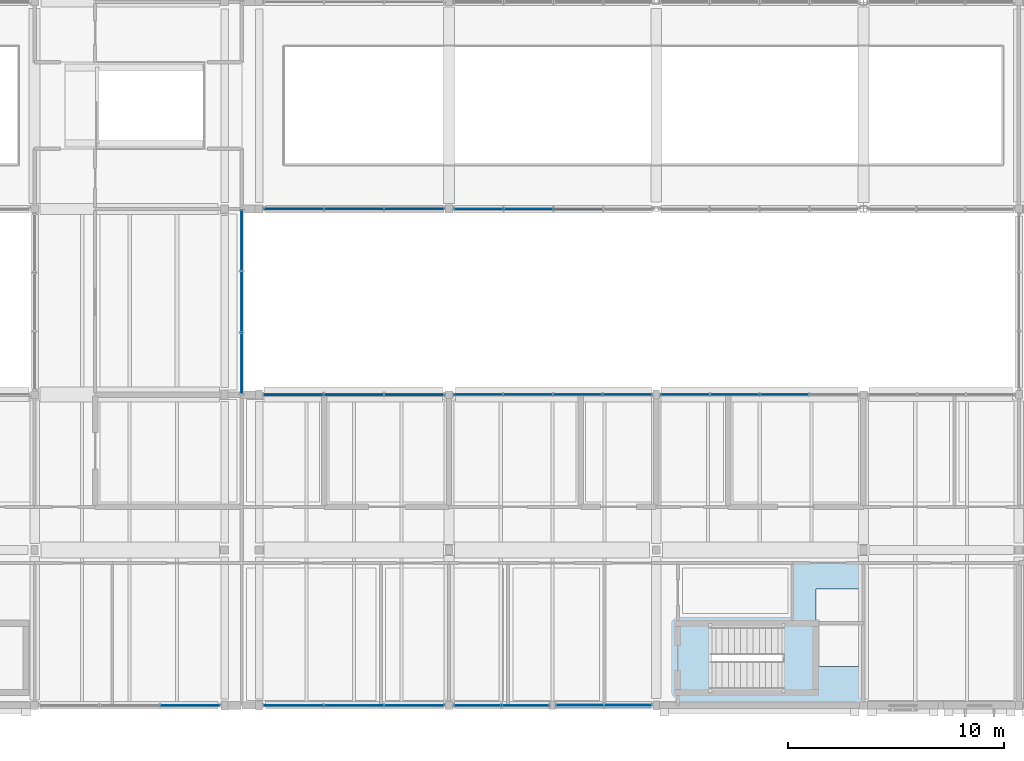
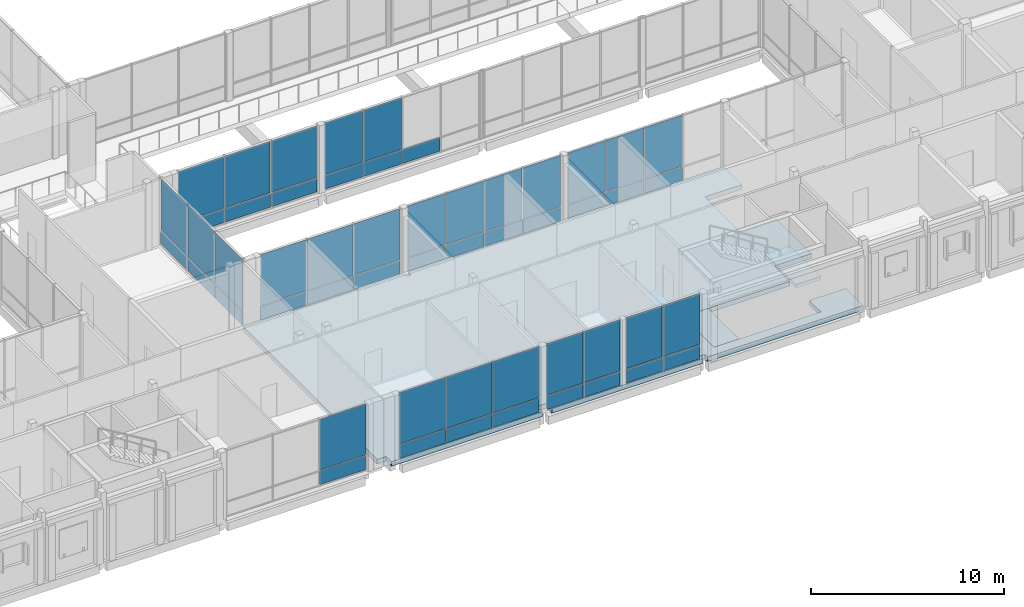
# One storey, part 99 of 146: 53 plates, 3 slabs, 11 elements without a shape of their own.
"""IFC4 building model written with IfcOpenShell, lengths in metres."""

from ifc_helpers import new_model, si_unit, direction, frame, origin, origin_2d, place, context, subcontext, project, spatial, polyline, rectangle, outline, extrude, material, layer, layer_set, type_object, element, aggregate, save


model = new_model("IFC4")

# Units and contexts
model_context = context("Model", 3, precision=1e-05, world=origin(), true_north=direction((0.0, 1.0)))
body_context = subcontext(model_context, "Body", "Model", "MODEL_VIEW")
ifc_project = project(units=[si_unit("LENGTHUNIT", "METRE"), si_unit("AREAUNIT", "SQUARE_METRE"), si_unit("VOLUMEUNIT", "CUBIC_METRE"), si_unit("PLANEANGLEUNIT", "RADIAN"), si_unit("MASSUNIT", "GRAM", prefix="KILO")], contexts=[model_context])

# Site, building, storey
site_placement = place(None, origin())
site = spatial("IfcSite", under=ifc_project, at=site_placement, CompositionType="ELEMENT")
building_placement = place(site_placement, origin())
building = spatial("IfcBuilding", under=site, at=building_placement, Name="Hawrajan Terrace Health Centre", CompositionType="ELEMENT")
storey_placement = place(building_placement, frame((0.0, 0.0, 4.5)))
storey = spatial("IfcBuildingStorey", under=building, at=storey_placement, Name="L01", CompositionType="ELEMENT", Elevation=4.5)

# Curtain wall, plates
ifc_material_1 = material(Name="Anodized bronze aluminium and low-E solar glazing", Category="aluminium")
curtain_wall_type_1 = type_object("IfcCurtainWallType", Name="CW_Hall_SeriesD2", PredefinedType="USERDEFINED", material=ifc_material_1)
curtain_wall_1_placement = place(storey_placement, origin())
curtain_wall_1 = element("IfcCurtainWall", 1, at=curtain_wall_1_placement, inside=storey, type_object=curtain_wall_type_1, Name="Curtain wall CW-L01-083", ObjectType="UNITISED CURTAIN WALL", PredefinedType="USERDEFINED")
ifc_material_2 = material(Name="Diffused north-light insulated glazing", Category="glass")
ifc_layer_1 = layer(ifc_material_2, 0.031982421875)
ifc_layer_set_1 = layer_set([ifc_layer_1], Name="Diffused north-light insulated glazing")
plate_type_1 = type_object("IfcPlateType", Name="ClerestoryGlassPanel_32", PredefinedType="CURTAIN_PANEL", material=ifc_layer_set_1)
plate_1_placement = place(storey_placement, frame((71.794921875, 20.058349609375, 0.9814453125), z_axis=(0.0, 0.0, 1.0), x_axis=(0.0, 1.0, 0.0)))
plate_1 = element("IfcPlate", 2, at=plate_1_placement, type_object=plate_type_1, Name="Curtain panel CW-L01-083-P1-2", PredefinedType="CURTAIN_PANEL", context=body_context, shape_type="SweptSolid", body=[
    extrude(rectangle(XDim=2.77880859375, YDim=0.031982421875, at=origin_2d()), origin(), (0.0, 0.0, 1.0), 3.24951171875),
])
plate_2_placement = place(storey_placement, frame((71.794921875, 22.89990234375, 0.9814453125), z_axis=(0.0, 0.0, 1.0), x_axis=(0.0, 1.0, 0.0)))
plate_2 = element("IfcPlate", 3, at=plate_2_placement, type_object=plate_type_1, Name="Curtain panel CW-L01-083-P2-2", PredefinedType="CURTAIN_PANEL", context=body_context, shape_type="SweptSolid", body=[
    extrude(rectangle(XDim=2.77880859375, YDim=0.031982421875, at=origin_2d()), origin(), (0.0, 0.0, 1.0), 3.24951171875),
])
plate_3_placement = place(storey_placement, frame((71.794921875, 25.74169921875, 0.9814453125), z_axis=(0.0, 0.0, 1.0), x_axis=(0.0, 1.0, 0.0)))
plate_3 = element("IfcPlate", 4, at=plate_3_placement, type_object=plate_type_1, Name="Curtain panel CW-L01-083-P3-2", PredefinedType="CURTAIN_PANEL", context=body_context, shape_type="SweptSolid", body=[
    extrude(rectangle(XDim=2.77880859375, YDim=0.031982421875, at=origin_2d()), origin(), (0.0, 0.0, 1.0), 3.24951171875),
])

curtain_wall_type_2 = type_object("IfcCurtainWallType", Name="CW_Clerestory_SeriesG2", PredefinedType="USERDEFINED", material=ifc_material_1)
curtain_wall_2_placement = place(storey_placement, origin())
curtain_wall_2 = element("IfcCurtainWall", 5, at=curtain_wall_2_placement, inside=storey, type_object=curtain_wall_type_2, Name="Curtain wall CW-L01-089", ObjectType="UNITISED CURTAIN WALL", PredefinedType="USERDEFINED")
plate_4_placement = place(storey_placement, frame((74.211669921875, 27.199951171875, 0.9814453125), z_axis=(0.0, 0.0, 1.0), x_axis=(1.0, 0.0, 0.0)))
plate_4 = element("IfcPlate", 6, at=plate_4_placement, type_object=plate_type_1, Name="Curtain panel CW-L01-089-P1-2", PredefinedType="CURTAIN_PANEL", context=body_context, shape_type="SweptSolid", body=[
    extrude(rectangle(XDim=2.725341796875, YDim=0.031982421875, at=origin_2d()), origin(), (0.0, 0.0, 1.0), 3.24951171875),
])
plate_5_placement = place(storey_placement, frame((77.0, 27.199951171875, 0.9814453125), z_axis=(0.0, 0.0, 1.0), x_axis=(1.0, 0.0, 0.0)))
plate_5 = element("IfcPlate", 7, at=plate_5_placement, type_object=plate_type_1, Name="Curtain panel CW-L01-089-P2-2", PredefinedType="CURTAIN_PANEL", context=body_context, shape_type="SweptSolid", body=[
    extrude(rectangle(XDim=2.725341796875, YDim=0.031982421875, at=origin_2d()), origin(), (0.0, 0.0, 1.0), 3.24951171875),
])
plate_6_placement = place(storey_placement, frame((79.788330078125, 27.199951171875, 0.9814453125), z_axis=(0.0, 0.0, 1.0), x_axis=(1.0, 0.0, 0.0)))
plate_6 = element("IfcPlate", 8, at=plate_6_placement, type_object=plate_type_1, Name="Curtain panel CW-L01-089-P3-2", PredefinedType="CURTAIN_PANEL", context=body_context, shape_type="SweptSolid", body=[
    extrude(rectangle(XDim=2.725341796875, YDim=0.031982421875, at=origin_2d()), origin(), (0.0, 0.0, 1.0), 3.24951171875),
])

curtain_wall_type_3 = type_object("IfcCurtainWallType", Name="CW_Bridge_SeriesJ1", PredefinedType="USERDEFINED", material=ifc_material_1)
curtain_wall_3_placement = place(storey_placement, origin())
curtain_wall_3 = element("IfcCurtainWall", 9, at=curtain_wall_3_placement, inside=storey, type_object=curtain_wall_type_3, Name="Curtain wall CW-L01-092", ObjectType="UNITISED CURTAIN WALL", PredefinedType="USERDEFINED")
plate_7_placement = place(storey_placement, frame((87.46875, 4.199951171875, 0.9814453125), z_axis=(0.0, 0.0, 1.0), x_axis=(1.0, 0.0, 0.0)))
plate_7 = element("IfcPlate", 10, at=plate_7_placement, type_object=plate_type_1, Name="Curtain panel CW-L01-092-P1-2", PredefinedType="CURTAIN_PANEL", context=body_context, shape_type="SweptSolid", body=[
    extrude(rectangle(XDim=2.159423828125, YDim=0.031982421875, at=origin_2d()), origin(), (0.0, 0.0, 1.0), 3.20947265625),
])
plate_8_placement = place(storey_placement, frame((89.691162109375, 4.199951171875, 0.9814453125), z_axis=(0.0, 0.0, 1.0), x_axis=(1.0, 0.0, 0.0)))
plate_8 = element("IfcPlate", 11, at=plate_8_placement, type_object=plate_type_1, Name="Curtain panel CW-L01-092-P2-2", PredefinedType="CURTAIN_PANEL", context=body_context, shape_type="SweptSolid", body=[
    extrude(rectangle(XDim=2.159423828125, YDim=0.031982421875, at=origin_2d()), origin(), (0.0, 0.0, 1.0), 3.20947265625),
])

# Slab
ifc_material_3 = material(Name="Concrete C40/50", Category="concrete")
ifc_layer_2 = layer(ifc_material_3, 0.300048828125)
ifc_layer_set_2 = layer_set([ifc_layer_2], Name="Concrete C40/50")
slab_type_1 = type_object("IfcSlabType", Name="PodiumSlab_RC300", PredefinedType="FLOOR", material=ifc_layer_set_2)
slab_1_placement = place(storey_placement, frame((0.0, 0.0, -0.300048828125)))
element("IfcSlab", 12, at=slab_1_placement, inside=storey, type_object=slab_type_1, Name="Structural slab SL-L01-C-V3-Z3-1", PredefinedType="FLOOR", context=body_context, shape_type="SweptSolid", body=[
    extrude(outline(polyline([(81.39990234375, 18.60009765625), (81.39990234375, 18.320068359375), (81.679931640625, 18.320068359375), (81.679931640625, 18.60009765625), (91.0, 18.60009765625), (100.60009765625, 18.60009765625), (100.60009765625, 18.320068359375), (100.60009765625, 16.800048828125), (98.39990234375, 16.800048828125), (98.39990234375, 13.199951171875), (100.60009765625, 13.199951171875), (100.60009765625, 11.39990234375), (100.60009765625, 9.60009765625), (98.39990234375, 9.60009765625), (98.39990234375, 8.0), (92.0, 8.0), (92.0, 4.800048828125), (98.39990234375, 4.800048828125), (98.39990234375, 6.0), (100.60009765625, 6.0), (100.60009765625, 4.199951171875), (91.280029296875, 4.199951171875), (91.280029296875, 4.47998046875), (91.0, 4.47998046875), (91.0, 4.199951171875), (81.949951171875, 4.199951171875), (81.949951171875, 4.75), (81.39990234375, 4.75), (81.39990234375, 4.199951171875), (72.35009765625, 4.199951171875), (72.35009765625, 4.75), (71.804931640625, 4.75), (71.804931640625, 11.39990234375), (71.804931640625, 18.60009765625), (81.39990234375, 18.60009765625)])), origin(), (0.0, 0.0, 1.0), 0.300048828125),
])

# Curtain wall, plates
curtain_wall_type_4 = type_object("IfcCurtainWallType", Name="CW_Clerestory_SeriesG1", PredefinedType="USERDEFINED", material=ifc_material_1)
curtain_wall_4_placement = place(storey_placement, origin())
curtain_wall_4 = element("IfcCurtainWall", 13, at=curtain_wall_4_placement, inside=storey, type_object=curtain_wall_type_4, Name="Curtain wall CW-L01-088", ObjectType="UNITISED CURTAIN WALL", PredefinedType="USERDEFINED")
ifc_material_4 = material(Name="Insulated anodized bronze spandrel panel")
ifc_layer_3 = layer(ifc_material_4, 0.048095703125)
ifc_layer_set_3 = layer_set([ifc_layer_3], Name="Insulated anodized bronze spandrel panel")
plate_type_2 = type_object("IfcPlateType", Name="SpandrelPanel_Bronze48", PredefinedType="CURTAIN_PANEL", material=ifc_layer_set_3)
plate_9_placement = place(storey_placement, frame((74.191650390625, 18.60009765625, 0.05908203125), z_axis=(0.0, 0.0, 1.0), x_axis=(1.0, 0.0, 0.0)))
plate_9 = element("IfcPlate", 14, at=plate_9_placement, type_object=plate_type_2, Name="Curtain panel CW-L01-088-P1-1", PredefinedType="CURTAIN_PANEL", context=body_context, shape_type="SweptSolid", body=[
    extrude(rectangle(XDim=2.745361328125, YDim=0.048095703125, at=origin_2d()), origin(), (0.0, 0.0, 1.0), 0.864501953125),
])
plate_10_placement = place(storey_placement, frame((76.989990234375, 18.60009765625, 0.05908203125), z_axis=(0.0, 0.0, 1.0), x_axis=(1.0, 0.0, 0.0)))
plate_10 = element("IfcPlate", 15, at=plate_10_placement, type_object=plate_type_2, Name="Curtain panel CW-L01-088-P2-1", PredefinedType="CURTAIN_PANEL", context=body_context, shape_type="SweptSolid", body=[
    extrude(rectangle(XDim=2.745361328125, YDim=0.048095703125, at=origin_2d()), origin(), (0.0, 0.0, 1.0), 0.864501953125),
])
plate_11_placement = place(storey_placement, frame((79.788330078125, 18.60009765625, 0.05908203125), z_axis=(0.0, 0.0, 1.0), x_axis=(1.0, 0.0, 0.0)))
plate_11 = element("IfcPlate", 16, at=plate_11_placement, type_object=plate_type_2, Name="Curtain panel CW-L01-088-P3-1", PredefinedType="CURTAIN_PANEL", context=body_context, shape_type="SweptSolid", body=[
    extrude(rectangle(XDim=2.745361328125, YDim=0.048095703125, at=origin_2d()), origin(), (0.0, 0.0, 1.0), 0.864501953125),
])

# Plate
plate_12_placement = place(storey_placement, frame((87.46875, 4.199951171875, 0.069091796875), z_axis=(0.0, 0.0, 1.0), x_axis=(1.0, 0.0, 0.0)))
plate_12 = element("IfcPlate", 17, at=plate_12_placement, type_object=plate_type_2, Name="Curtain panel CW-L01-092-P1-1", PredefinedType="CURTAIN_PANEL", context=body_context, shape_type="SweptSolid", body=[
    extrude(rectangle(XDim=2.159423828125, YDim=0.048095703125, at=origin_2d()), origin(), (0.0, 0.0, 1.0), 0.849609375),
])

plate_13_placement = place(storey_placement, frame((89.691162109375, 4.199951171875, 0.069091796875), z_axis=(0.0, 0.0, 1.0), x_axis=(1.0, 0.0, 0.0)))
plate_13 = element("IfcPlate", 18, at=plate_13_placement, type_object=plate_type_2, Name="Curtain panel CW-L01-092-P2-1", PredefinedType="CURTAIN_PANEL", context=body_context, shape_type="SweptSolid", body=[
    extrude(rectangle(XDim=2.159423828125, YDim=0.048095703125, at=origin_2d()), origin(), (0.0, 0.0, 1.0), 0.849609375),
])

aggregate(curtain_wall_3, [plate_12, plate_7, plate_13, plate_8])

# Curtain wall, plates
curtain_wall_type_5 = type_object("IfcCurtainWallType", Name="CW_Setback_SeriesL1", PredefinedType="USERDEFINED", material=ifc_material_1)
curtain_wall_5_placement = place(storey_placement, origin())
curtain_wall_5 = element("IfcCurtainWall", 19, at=curtain_wall_5_placement, inside=storey, type_object=curtain_wall_type_5, Name="Curtain wall CW-L01-094", ObjectType="UNITISED CURTAIN WALL", PredefinedType="USERDEFINED")
plate_14_placement = place(storey_placement, frame((82.768310546875, 27.199951171875, 0.05908203125), z_axis=(0.0, 0.0, 1.0), x_axis=(1.0, 0.0, 0.0)))
plate_14 = element("IfcPlate", 20, at=plate_14_placement, type_object=plate_type_2, Name="Curtain panel CW-L01-094-P1-1", PredefinedType="CURTAIN_PANEL", context=body_context, shape_type="SweptSolid", body=[
    extrude(rectangle(XDim=2.25830078125, YDim=0.048095703125, at=origin_2d()), origin(), (0.0, 0.0, 1.0), 0.864501953125),
])
plate_15_placement = place(storey_placement, frame((85.07958984375, 27.199951171875, 0.05908203125), z_axis=(0.0, 0.0, 1.0), x_axis=(1.0, 0.0, 0.0)))
plate_15 = element("IfcPlate", 21, at=plate_15_placement, type_object=plate_type_2, Name="Curtain panel CW-L01-094-P2-1", PredefinedType="CURTAIN_PANEL", context=body_context, shape_type="SweptSolid", body=[
    extrude(rectangle(XDim=2.25830078125, YDim=0.048095703125, at=origin_2d()), origin(), (0.0, 0.0, 1.0), 0.864501953125),
])
plate_16_placement = place(storey_placement, frame((87.390869140625, 27.199951171875, 0.05908203125), z_axis=(0.0, 0.0, 1.0), x_axis=(1.0, 0.0, 0.0)))
plate_16 = element("IfcPlate", 22, at=plate_16_placement, type_object=plate_type_2, Name="Curtain panel CW-L01-094-P3-1", PredefinedType="CURTAIN_PANEL", context=body_context, shape_type="SweptSolid", body=[
    extrude(rectangle(XDim=2.25830078125, YDim=0.048095703125, at=origin_2d()), origin(), (0.0, 0.0, 1.0), 0.864501953125),
])

curtain_wall_type_6 = type_object("IfcCurtainWallType", Name="CW_Diagnostic_SeriesM2", PredefinedType="USERDEFINED", material=ifc_material_1)
curtain_wall_6_placement = place(storey_placement, origin())
curtain_wall_6 = element("IfcCurtainWall", 23, at=curtain_wall_6_placement, inside=storey, type_object=curtain_wall_type_6, Name="Curtain wall CW-L01-096", ObjectType="UNITISED CURTAIN WALL", PredefinedType="USERDEFINED")
plate_17_placement = place(storey_placement, frame((92.341796875, 18.60009765625, 0.05908203125), z_axis=(0.0, 0.0, 1.0), x_axis=(1.0, 0.0, 0.0)))
plate_17 = element("IfcPlate", 24, at=plate_17_placement, type_object=plate_type_2, Name="Curtain panel CW-L01-096-P1-1", PredefinedType="CURTAIN_PANEL", context=body_context, shape_type="SweptSolid", body=[
    extrude(rectangle(XDim=2.245849609375, YDim=0.048095703125, at=origin_2d()), origin(), (0.0, 0.0, 1.0), 0.864501953125),
])
plate_18_placement = place(storey_placement, frame((94.640625, 18.60009765625, 0.05908203125), z_axis=(0.0, 0.0, 1.0), x_axis=(1.0, 0.0, 0.0)))
plate_18 = element("IfcPlate", 25, at=plate_18_placement, type_object=plate_type_2, Name="Curtain panel CW-L01-096-P2-1", PredefinedType="CURTAIN_PANEL", context=body_context, shape_type="SweptSolid", body=[
    extrude(rectangle(XDim=2.245849609375, YDim=0.048095703125, at=origin_2d()), origin(), (0.0, 0.0, 1.0), 0.864501953125),
])
plate_19_placement = place(storey_placement, frame((96.939453125, 18.60009765625, 0.05908203125), z_axis=(0.0, 0.0, 1.0), x_axis=(1.0, 0.0, 0.0)))
plate_19 = element("IfcPlate", 26, at=plate_19_placement, type_object=plate_type_2, Name="Curtain panel CW-L01-096-P3-1", PredefinedType="CURTAIN_PANEL", context=body_context, shape_type="SweptSolid", body=[
    extrude(rectangle(XDim=2.245849609375, YDim=0.048095703125, at=origin_2d()), origin(), (0.0, 0.0, 1.0), 0.864501953125),
])

# Curtain wall, plate
curtain_wall_type_7 = type_object("IfcCurtainWallType", Name="CW_CourtNS_SeriesC3", PredefinedType="USERDEFINED", material=ifc_material_1)
curtain_wall_7_placement = place(storey_placement, origin())
curtain_wall_7 = element("IfcCurtainWall", 27, at=curtain_wall_7_placement, inside=storey, type_object=curtain_wall_type_7, Name="Curtain wall CW-L01-081", ObjectType="UNITISED CURTAIN WALL", PredefinedType="USERDEFINED")
ifc_material_5 = material(Name="Insulated reconstituted coral-stone spandrel", Category="masonry")
ifc_layer_4 = layer(ifc_material_5, 0.055908203125)
ifc_layer_set_4 = layer_set([ifc_layer_4], Name="Insulated reconstituted coral-stone spandrel")
plate_type_3 = type_object("IfcPlateType", Name="SpandrelPanel_Coral56", PredefinedType="CURTAIN_PANEL", material=ifc_layer_set_4)
plate_20_placement = place(storey_placement, frame((69.408203125, 4.199951171875, 0.05908203125), z_axis=(0.0, 0.0, 1.0), x_axis=(1.0, 0.0, 0.0)))
plate_20 = element("IfcPlate", 28, at=plate_20_placement, type_object=plate_type_3, Name="Curtain panel CW-L01-081-P3-1", PredefinedType="CURTAIN_PANEL", context=body_context, shape_type="SweptSolid", body=[
    extrude(rectangle(XDim=2.745361328125, YDim=0.055908203125, at=origin_2d()), origin(), (0.0, 0.0, 1.0), 0.864501953125),
])

# Plate
plate_21_placement = place(storey_placement, frame((71.794921875, 20.058349609375, 0.069091796875), z_axis=(0.0, 0.0, 1.0), x_axis=(0.0, 1.0, 0.0)))
plate_21 = element("IfcPlate", 29, at=plate_21_placement, type_object=plate_type_3, Name="Curtain panel CW-L01-083-P1-1", PredefinedType="CURTAIN_PANEL", context=body_context, shape_type="SweptSolid", body=[
    extrude(rectangle(XDim=2.77880859375, YDim=0.055908203125, at=origin_2d()), origin(), (0.0, 0.0, 1.0), 0.849609375),
])

plate_22_placement = place(storey_placement, frame((71.794921875, 22.89990234375, 0.069091796875), z_axis=(0.0, 0.0, 1.0), x_axis=(0.0, 1.0, 0.0)))
plate_22 = element("IfcPlate", 30, at=plate_22_placement, type_object=plate_type_3, Name="Curtain panel CW-L01-083-P2-1", PredefinedType="CURTAIN_PANEL", context=body_context, shape_type="SweptSolid", body=[
    extrude(rectangle(XDim=2.77880859375, YDim=0.055908203125, at=origin_2d()), origin(), (0.0, 0.0, 1.0), 0.849609375),
])

plate_23_placement = place(storey_placement, frame((71.794921875, 25.74169921875, 0.069091796875), z_axis=(0.0, 0.0, 1.0), x_axis=(0.0, 1.0, 0.0)))
plate_23 = element("IfcPlate", 31, at=plate_23_placement, type_object=plate_type_3, Name="Curtain panel CW-L01-083-P3-1", PredefinedType="CURTAIN_PANEL", context=body_context, shape_type="SweptSolid", body=[
    extrude(rectangle(XDim=2.77880859375, YDim=0.055908203125, at=origin_2d()), origin(), (0.0, 0.0, 1.0), 0.849609375),
])

aggregate(curtain_wall_1, [plate_21, plate_1, plate_22, plate_2, plate_23, plate_3])

# Curtain wall, plates
curtain_wall_type_8 = type_object("IfcCurtainWallType", Name="CW_Garden_SeriesF2", PredefinedType="USERDEFINED", material=ifc_material_1)
curtain_wall_8_placement = place(storey_placement, origin())
curtain_wall_8 = element("IfcCurtainWall", 32, at=curtain_wall_8_placement, inside=storey, type_object=curtain_wall_type_8, Name="Curtain wall CW-L01-087", ObjectType="UNITISED CURTAIN WALL", PredefinedType="USERDEFINED")
plate_24_placement = place(storey_placement, frame((74.191650390625, 4.199951171875, 0.05908203125), z_axis=(0.0, 0.0, 1.0), x_axis=(1.0, 0.0, 0.0)))
plate_24 = element("IfcPlate", 33, at=plate_24_placement, type_object=plate_type_3, Name="Curtain panel CW-L01-087-P1-1", PredefinedType="CURTAIN_PANEL", context=body_context, shape_type="SweptSolid", body=[
    extrude(rectangle(XDim=2.745361328125, YDim=0.055908203125, at=origin_2d()), origin(), (0.0, 0.0, 1.0), 0.864501953125),
])
plate_25_placement = place(storey_placement, frame((76.989990234375, 4.199951171875, 0.05908203125), z_axis=(0.0, 0.0, 1.0), x_axis=(1.0, 0.0, 0.0)))
plate_25 = element("IfcPlate", 34, at=plate_25_placement, type_object=plate_type_3, Name="Curtain panel CW-L01-087-P2-1", PredefinedType="CURTAIN_PANEL", context=body_context, shape_type="SweptSolid", body=[
    extrude(rectangle(XDim=2.745361328125, YDim=0.055908203125, at=origin_2d()), origin(), (0.0, 0.0, 1.0), 0.864501953125),
])
plate_26_placement = place(storey_placement, frame((79.788330078125, 4.199951171875, 0.05908203125), z_axis=(0.0, 0.0, 1.0), x_axis=(1.0, 0.0, 0.0)))
plate_26 = element("IfcPlate", 35, at=plate_26_placement, type_object=plate_type_3, Name="Curtain panel CW-L01-087-P3-1", PredefinedType="CURTAIN_PANEL", context=body_context, shape_type="SweptSolid", body=[
    extrude(rectangle(XDim=2.745361328125, YDim=0.055908203125, at=origin_2d()), origin(), (0.0, 0.0, 1.0), 0.864501953125),
])

# Plate
plate_27_placement = place(storey_placement, frame((74.211669921875, 27.199951171875, 0.069091796875), z_axis=(0.0, 0.0, 1.0), x_axis=(1.0, 0.0, 0.0)))
plate_27 = element("IfcPlate", 36, at=plate_27_placement, type_object=plate_type_3, Name="Curtain panel CW-L01-089-P1-1", PredefinedType="CURTAIN_PANEL", context=body_context, shape_type="SweptSolid", body=[
    extrude(rectangle(XDim=2.725341796875, YDim=0.055908203125, at=origin_2d()), origin(), (0.0, 0.0, 1.0), 0.849609375),
])

plate_28_placement = place(storey_placement, frame((77.0, 27.199951171875, 0.069091796875), z_axis=(0.0, 0.0, 1.0), x_axis=(1.0, 0.0, 0.0)))
plate_28 = element("IfcPlate", 37, at=plate_28_placement, type_object=plate_type_3, Name="Curtain panel CW-L01-089-P2-1", PredefinedType="CURTAIN_PANEL", context=body_context, shape_type="SweptSolid", body=[
    extrude(rectangle(XDim=2.725341796875, YDim=0.055908203125, at=origin_2d()), origin(), (0.0, 0.0, 1.0), 0.849609375),
])

plate_29_placement = place(storey_placement, frame((79.788330078125, 27.199951171875, 0.069091796875), z_axis=(0.0, 0.0, 1.0), x_axis=(1.0, 0.0, 0.0)))
plate_29 = element("IfcPlate", 38, at=plate_29_placement, type_object=plate_type_3, Name="Curtain panel CW-L01-089-P3-1", PredefinedType="CURTAIN_PANEL", context=body_context, shape_type="SweptSolid", body=[
    extrude(rectangle(XDim=2.725341796875, YDim=0.055908203125, at=origin_2d()), origin(), (0.0, 0.0, 1.0), 0.849609375),
])

aggregate(curtain_wall_2, [plate_27, plate_4, plate_28, plate_5, plate_29, plate_6])

# Curtain wall, plates
curtain_wall_type_9 = type_object("IfcCurtainWallType", Name="CW_Vestibule_SeriesH1", PredefinedType="USERDEFINED", material=ifc_material_1)
curtain_wall_9_placement = place(storey_placement, origin())
curtain_wall_9 = element("IfcCurtainWall", 39, at=curtain_wall_9_placement, inside=storey, type_object=curtain_wall_type_9, Name="Curtain wall CW-L01-091", ObjectType="UNITISED CURTAIN WALL", PredefinedType="USERDEFINED")
plate_30_placement = place(storey_placement, frame((82.72119140625, 4.199951171875, 0.05908203125), z_axis=(0.0, 0.0, 1.0), x_axis=(1.0, 0.0, 0.0)))
plate_30 = element("IfcPlate", 40, at=plate_30_placement, type_object=plate_type_3, Name="Curtain panel CW-L01-091-P1-1", PredefinedType="CURTAIN_PANEL", context=body_context, shape_type="SweptSolid", body=[
    extrude(rectangle(XDim=2.16455078125, YDim=0.055908203125, at=origin_2d()), origin(), (0.0, 0.0, 1.0), 0.864501953125),
])
plate_31_placement = place(storey_placement, frame((84.938720703125, 4.199951171875, 0.05908203125), z_axis=(0.0, 0.0, 1.0), x_axis=(1.0, 0.0, 0.0)))
plate_31 = element("IfcPlate", 41, at=plate_31_placement, type_object=plate_type_3, Name="Curtain panel CW-L01-091-P2-1", PredefinedType="CURTAIN_PANEL", context=body_context, shape_type="SweptSolid", body=[
    extrude(rectangle(XDim=2.16455078125, YDim=0.055908203125, at=origin_2d()), origin(), (0.0, 0.0, 1.0), 0.864501953125),
])

curtain_wall_type_10 = type_object("IfcCurtainWallType", Name="CW_Terrace_SeriesK1", PredefinedType="USERDEFINED", material=ifc_material_1)
curtain_wall_10_placement = place(storey_placement, origin())
curtain_wall_10 = element("IfcCurtainWall", 42, at=curtain_wall_10_placement, inside=storey, type_object=curtain_wall_type_10, Name="Curtain wall CW-L01-093", ObjectType="UNITISED CURTAIN WALL", PredefinedType="USERDEFINED")
plate_32_placement = place(storey_placement, frame((82.761962890625, 18.60009765625, 0.05908203125), z_axis=(0.0, 0.0, 1.0), x_axis=(1.0, 0.0, 0.0)))
plate_32 = element("IfcPlate", 43, at=plate_32_placement, type_object=plate_type_3, Name="Curtain panel CW-L01-093-P1-1", PredefinedType="CURTAIN_PANEL", context=body_context, shape_type="SweptSolid", body=[
    extrude(rectangle(XDim=2.245849609375, YDim=0.055908203125, at=origin_2d()), origin(), (0.0, 0.0, 1.0), 0.864501953125),
])
plate_33_placement = place(storey_placement, frame((85.060546875, 18.60009765625, 0.05908203125), z_axis=(0.0, 0.0, 1.0), x_axis=(1.0, 0.0, 0.0)))
plate_33 = element("IfcPlate", 44, at=plate_33_placement, type_object=plate_type_3, Name="Curtain panel CW-L01-093-P2-1", PredefinedType="CURTAIN_PANEL", context=body_context, shape_type="SweptSolid", body=[
    extrude(rectangle(XDim=2.245849609375, YDim=0.055908203125, at=origin_2d()), origin(), (0.0, 0.0, 1.0), 0.864501953125),
])
plate_34_placement = place(storey_placement, frame((87.359375, 18.60009765625, 0.05908203125), z_axis=(0.0, 0.0, 1.0), x_axis=(1.0, 0.0, 0.0)))
plate_34 = element("IfcPlate", 45, at=plate_34_placement, type_object=plate_type_3, Name="Curtain panel CW-L01-093-P3-1", PredefinedType="CURTAIN_PANEL", context=body_context, shape_type="SweptSolid", body=[
    extrude(rectangle(XDim=2.245849609375, YDim=0.055908203125, at=origin_2d()), origin(), (0.0, 0.0, 1.0), 0.864501953125),
])
plate_35_placement = place(storey_placement, frame((89.658203125, 18.60009765625, 0.05908203125), z_axis=(0.0, 0.0, 1.0), x_axis=(1.0, 0.0, 0.0)))
plate_35 = element("IfcPlate", 46, at=plate_35_placement, type_object=plate_type_3, Name="Curtain panel CW-L01-093-P4-1", PredefinedType="CURTAIN_PANEL", context=body_context, shape_type="SweptSolid", body=[
    extrude(rectangle(XDim=2.245849609375, YDim=0.055908203125, at=origin_2d()), origin(), (0.0, 0.0, 1.0), 0.864501953125),
])

# Stair, slabs
stair_type = type_object("IfcStairType", Name="Stair_4500_W1300", PredefinedType="HALF_TURN_STAIR", material=ifc_material_3)
stair_placement = place(storey_placement, origin())
stair = element("IfcStair", 47, at=stair_placement, inside=storey, type_object=stair_type, Name="Stair ST-5-L01", PredefinedType="HALF_TURN_STAIR")
ifc_layer_5 = layer(ifc_material_3, 0.219970703125)
ifc_layer_set_5 = layer_set([ifc_layer_5], Name="Concrete C40/50")
slab_type_2 = type_object("IfcSlabType", Name="StairLanding_RC220", PredefinedType="LANDING", material=ifc_layer_set_5)
slab_2_placement = place(storey_placement, frame((0.0, 0.0, -0.219970703125)))
slab_2 = element("IfcSlab", 48, at=slab_2_placement, type_object=slab_type_2, Name="Stair floor landing ST-5-L01-L0", PredefinedType="LANDING", context=body_context, shape_type="SweptSolid", body=[
    extrude(outline(polyline([(92.0, 4.800048828125), (93.5, 4.800048828125), (93.5, 8.0), (92.0, 8.0), (92.0, 4.800048828125)])), origin(), (0.0, 0.0, 1.0), 0.219970703125),
])
slab_3_placement = place(storey_placement, frame((0.0, 0.0, 2.030029296875)))
slab_3 = element("IfcSlab", 49, at=slab_3_placement, type_object=slab_type_2, Name="Stair half landing ST-5-L01-L1", PredefinedType="LANDING", context=body_context, shape_type="SweptSolid", body=[
    extrude(outline(polyline([(96.89990234375, 4.800048828125), (98.39990234375, 4.800048828125), (98.39990234375, 8.0), (96.89990234375, 8.0), (96.89990234375, 4.800048828125)])), origin(), (0.0, 0.0, 1.0), 0.219970703125),
])
aggregate(stair, [slab_2, slab_3])

# Plate
ifc_material_6 = material(Name="Double-glazed solar control low-E glass", Category="glass")
ifc_layer_6 = layer(ifc_material_6, 0.028076171875)
ifc_layer_set_6 = layer_set([ifc_layer_6], Name="Double-glazed solar control low-E glass")
plate_type_4 = type_object("IfcPlateType", Name="VisionGlassPanel_28", PredefinedType="CURTAIN_PANEL", material=ifc_layer_set_6)
plate_36_placement = place(storey_placement, frame((69.408203125, 4.199951171875, 0.976318359375), z_axis=(0.0, 0.0, 1.0), x_axis=(1.0, 0.0, 0.0)))
plate_36 = element("IfcPlate", 50, at=plate_36_placement, type_object=plate_type_4, Name="Curtain panel CW-L01-081-P3-2", PredefinedType="CURTAIN_PANEL", context=body_context, shape_type="SweptSolid", body=[
    extrude(rectangle(XDim=2.745361328125, YDim=0.028076171875, at=origin_2d()), origin(), (0.0, 0.0, 1.0), 3.224609375),
])

aggregate(curtain_wall_7, [plate_20, plate_36])

plate_37_placement = place(storey_placement, frame((74.191650390625, 4.199951171875, 0.976318359375), z_axis=(0.0, 0.0, 1.0), x_axis=(1.0, 0.0, 0.0)))
plate_37 = element("IfcPlate", 51, at=plate_37_placement, type_object=plate_type_4, Name="Curtain panel CW-L01-087-P1-2", PredefinedType="CURTAIN_PANEL", context=body_context, shape_type="SweptSolid", body=[
    extrude(rectangle(XDim=2.745361328125, YDim=0.028076171875, at=origin_2d()), origin(), (0.0, 0.0, 1.0), 3.224609375),
])

plate_38_placement = place(storey_placement, frame((76.989990234375, 4.199951171875, 0.976318359375), z_axis=(0.0, 0.0, 1.0), x_axis=(1.0, 0.0, 0.0)))
plate_38 = element("IfcPlate", 52, at=plate_38_placement, type_object=plate_type_4, Name="Curtain panel CW-L01-087-P2-2", PredefinedType="CURTAIN_PANEL", context=body_context, shape_type="SweptSolid", body=[
    extrude(rectangle(XDim=2.745361328125, YDim=0.028076171875, at=origin_2d()), origin(), (0.0, 0.0, 1.0), 3.224609375),
])

plate_39_placement = place(storey_placement, frame((79.788330078125, 4.199951171875, 0.976318359375), z_axis=(0.0, 0.0, 1.0), x_axis=(1.0, 0.0, 0.0)))
plate_39 = element("IfcPlate", 53, at=plate_39_placement, type_object=plate_type_4, Name="Curtain panel CW-L01-087-P3-2", PredefinedType="CURTAIN_PANEL", context=body_context, shape_type="SweptSolid", body=[
    extrude(rectangle(XDim=2.745361328125, YDim=0.028076171875, at=origin_2d()), origin(), (0.0, 0.0, 1.0), 3.224609375),
])

aggregate(curtain_wall_8, [plate_24, plate_37, plate_25, plate_38, plate_26, plate_39])

plate_40_placement = place(storey_placement, frame((82.761962890625, 18.60009765625, 0.976318359375), z_axis=(0.0, 0.0, 1.0), x_axis=(1.0, 0.0, 0.0)))
plate_40 = element("IfcPlate", 54, at=plate_40_placement, type_object=plate_type_4, Name="Curtain panel CW-L01-093-P1-2", PredefinedType="CURTAIN_PANEL", context=body_context, shape_type="SweptSolid", body=[
    extrude(rectangle(XDim=2.245849609375, YDim=0.028076171875, at=origin_2d()), origin(), (0.0, 0.0, 1.0), 3.224609375),
])

plate_41_placement = place(storey_placement, frame((85.060546875, 18.60009765625, 0.976318359375), z_axis=(0.0, 0.0, 1.0), x_axis=(1.0, 0.0, 0.0)))
plate_41 = element("IfcPlate", 55, at=plate_41_placement, type_object=plate_type_4, Name="Curtain panel CW-L01-093-P2-2", PredefinedType="CURTAIN_PANEL", context=body_context, shape_type="SweptSolid", body=[
    extrude(rectangle(XDim=2.245849609375, YDim=0.028076171875, at=origin_2d()), origin(), (0.0, 0.0, 1.0), 3.224609375),
])

plate_42_placement = place(storey_placement, frame((87.359375, 18.60009765625, 0.976318359375), z_axis=(0.0, 0.0, 1.0), x_axis=(1.0, 0.0, 0.0)))
plate_42 = element("IfcPlate", 56, at=plate_42_placement, type_object=plate_type_4, Name="Curtain panel CW-L01-093-P3-2", PredefinedType="CURTAIN_PANEL", context=body_context, shape_type="SweptSolid", body=[
    extrude(rectangle(XDim=2.245849609375, YDim=0.028076171875, at=origin_2d()), origin(), (0.0, 0.0, 1.0), 3.224609375),
])

plate_43_placement = place(storey_placement, frame((89.658203125, 18.60009765625, 0.976318359375), z_axis=(0.0, 0.0, 1.0), x_axis=(1.0, 0.0, 0.0)))
plate_43 = element("IfcPlate", 57, at=plate_43_placement, type_object=plate_type_4, Name="Curtain panel CW-L01-093-P4-2", PredefinedType="CURTAIN_PANEL", context=body_context, shape_type="SweptSolid", body=[
    extrude(rectangle(XDim=2.245849609375, YDim=0.028076171875, at=origin_2d()), origin(), (0.0, 0.0, 1.0), 3.224609375),
])

aggregate(curtain_wall_10, [plate_32, plate_40, plate_33, plate_41, plate_34, plate_42, plate_35, plate_43])

plate_44_placement = place(storey_placement, frame((92.341796875, 18.60009765625, 0.976318359375), z_axis=(0.0, 0.0, 1.0), x_axis=(1.0, 0.0, 0.0)))
plate_44 = element("IfcPlate", 58, at=plate_44_placement, type_object=plate_type_4, Name="Curtain panel CW-L01-096-P1-2", PredefinedType="CURTAIN_PANEL", context=body_context, shape_type="SweptSolid", body=[
    extrude(rectangle(XDim=2.245849609375, YDim=0.028076171875, at=origin_2d()), origin(), (0.0, 0.0, 1.0), 3.224609375),
])

plate_45_placement = place(storey_placement, frame((94.640625, 18.60009765625, 0.976318359375), z_axis=(0.0, 0.0, 1.0), x_axis=(1.0, 0.0, 0.0)))
plate_45 = element("IfcPlate", 59, at=plate_45_placement, type_object=plate_type_4, Name="Curtain panel CW-L01-096-P2-2", PredefinedType="CURTAIN_PANEL", context=body_context, shape_type="SweptSolid", body=[
    extrude(rectangle(XDim=2.245849609375, YDim=0.028076171875, at=origin_2d()), origin(), (0.0, 0.0, 1.0), 3.224609375),
])

plate_46_placement = place(storey_placement, frame((96.939453125, 18.60009765625, 0.976318359375), z_axis=(0.0, 0.0, 1.0), x_axis=(1.0, 0.0, 0.0)))
plate_46 = element("IfcPlate", 60, at=plate_46_placement, type_object=plate_type_4, Name="Curtain panel CW-L01-096-P3-2", PredefinedType="CURTAIN_PANEL", context=body_context, shape_type="SweptSolid", body=[
    extrude(rectangle(XDim=2.245849609375, YDim=0.028076171875, at=origin_2d()), origin(), (0.0, 0.0, 1.0), 3.224609375),
])

aggregate(curtain_wall_6, [plate_17, plate_44, plate_18, plate_45, plate_19, plate_46])

ifc_material_7 = material(Name="Triple-glazed solar acoustic low-E glass", Category="glass")
ifc_layer_7 = layer(ifc_material_7, 0.035888671875)
ifc_layer_set_7 = layer_set([ifc_layer_7], Name="Triple-glazed solar acoustic low-E glass")
plate_type_5 = type_object("IfcPlateType", Name="VisionGlassPanel_36", PredefinedType="CURTAIN_PANEL", material=ifc_layer_set_7)
plate_47_placement = place(storey_placement, frame((74.191650390625, 18.60009765625, 0.976318359375), z_axis=(0.0, 0.0, 1.0), x_axis=(1.0, 0.0, 0.0)))
plate_47 = element("IfcPlate", 61, at=plate_47_placement, type_object=plate_type_5, Name="Curtain panel CW-L01-088-P1-2", PredefinedType="CURTAIN_PANEL", context=body_context, shape_type="SweptSolid", body=[
    extrude(rectangle(XDim=2.745361328125, YDim=0.035888671875, at=origin_2d()), origin(), (0.0, 0.0, 1.0), 3.224609375),
])

plate_48_placement = place(storey_placement, frame((76.989990234375, 18.60009765625, 0.976318359375), z_axis=(0.0, 0.0, 1.0), x_axis=(1.0, 0.0, 0.0)))
plate_48 = element("IfcPlate", 62, at=plate_48_placement, type_object=plate_type_5, Name="Curtain panel CW-L01-088-P2-2", PredefinedType="CURTAIN_PANEL", context=body_context, shape_type="SweptSolid", body=[
    extrude(rectangle(XDim=2.745361328125, YDim=0.035888671875, at=origin_2d()), origin(), (0.0, 0.0, 1.0), 3.224609375),
])

plate_49_placement = place(storey_placement, frame((79.788330078125, 18.60009765625, 0.976318359375), z_axis=(0.0, 0.0, 1.0), x_axis=(1.0, 0.0, 0.0)))
plate_49 = element("IfcPlate", 63, at=plate_49_placement, type_object=plate_type_5, Name="Curtain panel CW-L01-088-P3-2", PredefinedType="CURTAIN_PANEL", context=body_context, shape_type="SweptSolid", body=[
    extrude(rectangle(XDim=2.745361328125, YDim=0.035888671875, at=origin_2d()), origin(), (0.0, 0.0, 1.0), 3.224609375),
])

aggregate(curtain_wall_4, [plate_9, plate_47, plate_10, plate_48, plate_11, plate_49])

plate_50_placement = place(storey_placement, frame((82.72119140625, 4.199951171875, 0.976318359375), z_axis=(0.0, 0.0, 1.0), x_axis=(1.0, 0.0, 0.0)))
plate_50 = element("IfcPlate", 64, at=plate_50_placement, type_object=plate_type_5, Name="Curtain panel CW-L01-091-P1-2", PredefinedType="CURTAIN_PANEL", context=body_context, shape_type="SweptSolid", body=[
    extrude(rectangle(XDim=2.16455078125, YDim=0.035888671875, at=origin_2d()), origin(), (0.0, 0.0, 1.0), 3.224609375),
])

plate_51_placement = place(storey_placement, frame((84.938720703125, 4.199951171875, 0.976318359375), z_axis=(0.0, 0.0, 1.0), x_axis=(1.0, 0.0, 0.0)))
plate_51 = element("IfcPlate", 65, at=plate_51_placement, type_object=plate_type_5, Name="Curtain panel CW-L01-091-P2-2", PredefinedType="CURTAIN_PANEL", context=body_context, shape_type="SweptSolid", body=[
    extrude(rectangle(XDim=2.16455078125, YDim=0.035888671875, at=origin_2d()), origin(), (0.0, 0.0, 1.0), 3.224609375),
])

aggregate(curtain_wall_9, [plate_30, plate_50, plate_31, plate_51])

plate_52_placement = place(storey_placement, frame((82.768310546875, 27.199951171875, 0.9765625), z_axis=(0.0, 0.0, 1.0), x_axis=(1.0, 0.0, 0.0)))
plate_52 = element("IfcPlate", 66, at=plate_52_placement, type_object=plate_type_5, Name="Curtain panel CW-L01-094-P1-2", PredefinedType="CURTAIN_PANEL", context=body_context, shape_type="SweptSolid", body=[
    extrude(rectangle(XDim=2.25830078125, YDim=0.035888671875, at=origin_2d()), origin(), (0.0, 0.0, 1.0), 3.264404296875),
])

plate_53_placement = place(storey_placement, frame((85.07958984375, 27.199951171875, 0.9765625), z_axis=(0.0, 0.0, 1.0), x_axis=(1.0, 0.0, 0.0)))
plate_53 = element("IfcPlate", 67, at=plate_53_placement, type_object=plate_type_5, Name="Curtain panel CW-L01-094-P2-2", PredefinedType="CURTAIN_PANEL", context=body_context, shape_type="SweptSolid", body=[
    extrude(rectangle(XDim=2.25830078125, YDim=0.035888671875, at=origin_2d()), origin(), (0.0, 0.0, 1.0), 3.264404296875),
])

aggregate(curtain_wall_5, [plate_14, plate_52, plate_15, plate_53, plate_16])

save(model, "model.ifc")
